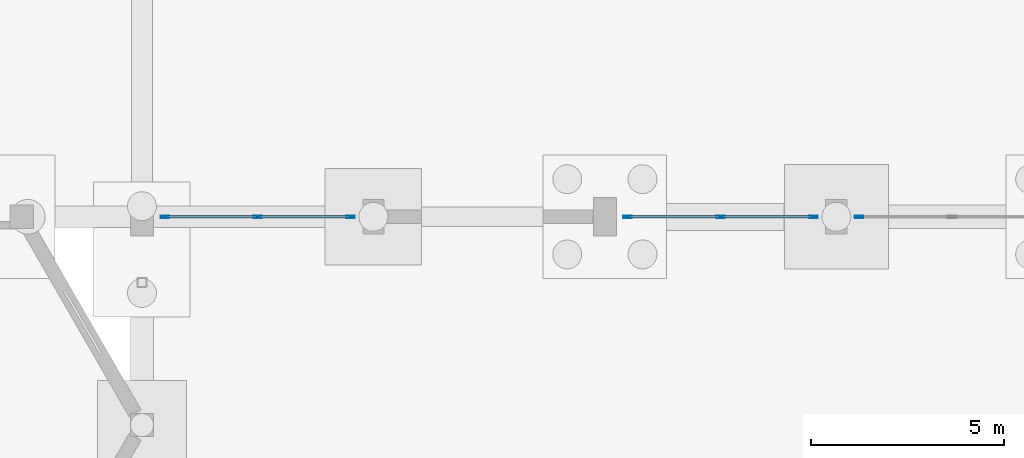
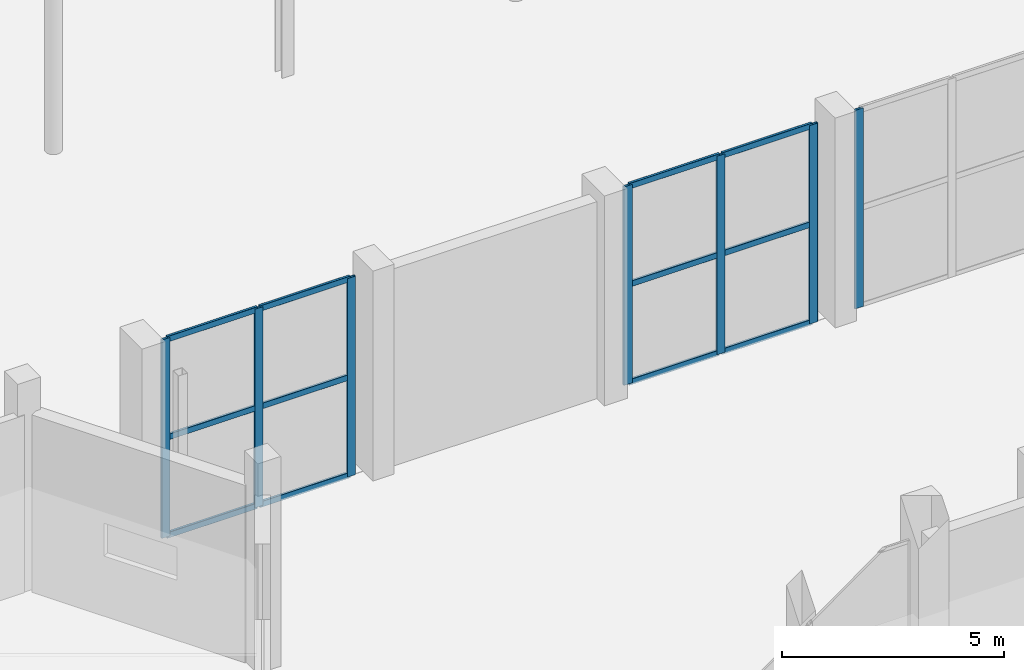
# One storey, part 44 of 103: 19 members, 3 elements without a shape of their own.
"""IFC4 building model written with IfcOpenShell, lengths in metres."""

from ifc_helpers import new_model, si_unit, direction, frame, origin, origin_2d, place, context, subcontext, project, spatial, hollow_rectangle, extrude, material, layer, layer_set, material_profile, profile_set, type_object, element, aggregate, save


model = new_model("IFC4")

# Units and contexts
model_context = context("Model", 3, precision=1e-05, world=origin(), true_north=direction((0.0, 1.0)))
body_context = subcontext(model_context, "Body", "Model", "MODEL_VIEW")
ifc_project = project(units=[si_unit("LENGTHUNIT", "METRE"), si_unit("AREAUNIT", "SQUARE_METRE"), si_unit("VOLUMEUNIT", "CUBIC_METRE"), si_unit("PLANEANGLEUNIT", "RADIAN"), si_unit("MASSUNIT", "GRAM", prefix="KILO")], contexts=[model_context])

# Site, building, storey
site_placement = place(None, origin())
site = spatial("IfcSite", under=ifc_project, at=site_placement, CompositionType="ELEMENT")
building_placement = place(site_placement, origin())
building = spatial("IfcBuilding", under=site, at=building_placement, Name="Dunvalen Ferry Terminal", CompositionType="ELEMENT")
storey_placement = place(building_placement, origin())
storey = spatial("IfcBuildingStorey", under=building, at=storey_placement, Name="L00", CompositionType="ELEMENT", Elevation=0.0)

# Curtain wall, members
ifc_material_1 = material(Name="Anodised marine aluminium and solar-control glazing", Category="aluminium")
ifc_layer = layer(ifc_material_1, 0.219970703125, Name="Anodised marine aluminium and solar-control glazing")
ifc_layer_set = layer_set([ifc_layer], Name="Anodised marine aluminium and solar-control glazing")
curtain_wall_type = type_object("IfcCurtainWallType", Name="ENV-CW-SYS-01", PredefinedType="NOTDEFINED", material=ifc_layer_set)
curtain_wall_1_placement = place(storey_placement, origin())
curtain_wall_1 = element("IfcCurtainWall", 1, at=curtain_wall_1_placement, inside=storey, type_object=curtain_wall_type, Name="L00 Curtain Wall CW-V1S-L00-01", PredefinedType="NOTDEFINED")
ifc_material_2 = material(Name="Anodised marine aluminium EN AW-6063 T6", Category="aluminium")
ifc_material_profile_1 = material_profile(ifc_material_2, hollow_rectangle(XDim=0.06494140625, YDim=0.219970703125, WallThickness=0.00390625, InnerFilletRadius=0.00390625, OuterFilletRadius=0.008056640625, at=origin_2d()), Name="Anodised marine aluminium EN AW-6063 T6")
ifc_profile_set_1 = profile_set([ifc_material_profile_1], Name="Anodised marine aluminium EN AW-6063 T6")
member_type_1 = type_object("IfcMemberType", Name="ENV-CW-MUL-1", PredefinedType="MULLION", material=ifc_profile_set_1)
member_1_placement = place(storey_placement, frame((36.592529296875, 50.39990234375, 0.0), z_axis=(0.0, 0.0, 1.0), x_axis=(0.0, 1.0, 0.0)))
member_1 = element("IfcMember", 2, at=member_1_placement, type_object=member_type_1, Name="CW-01 mullion 1", PredefinedType="MULLION", context=body_context, shape_type="SweptSolid", body=[
    extrude(hollow_rectangle(XDim=0.06494140625, YDim=0.219970703125, WallThickness=0.00390625, InnerFilletRadius=0.00390625, OuterFilletRadius=0.008056640625, at=origin_2d()), origin(), (0.0, 0.0, 1.0), 5.449951171875),
])
member_2_placement = place(storey_placement, frame((39.0, 50.39990234375, 0.0), z_axis=(0.0, 0.0, 1.0), x_axis=(0.0, 1.0, 0.0)))
member_2 = element("IfcMember", 3, at=member_2_placement, type_object=member_type_1, Name="CW-01 mullion 2", PredefinedType="MULLION", context=body_context, shape_type="SweptSolid", body=[
    extrude(hollow_rectangle(XDim=0.06494140625, YDim=0.219970703125, WallThickness=0.00390625, InnerFilletRadius=0.00390625, OuterFilletRadius=0.008056640625, at=origin_2d()), origin(), (0.0, 0.0, 1.0), 5.449951171875),
])
member_3_placement = place(storey_placement, frame((41.407470703125, 50.39990234375, 0.0), z_axis=(0.0, 0.0, 1.0), x_axis=(0.0, 1.0, 0.0)))
member_3 = element("IfcMember", 4, at=member_3_placement, type_object=member_type_1, Name="CW-01 mullion 3", PredefinedType="MULLION", context=body_context, shape_type="SweptSolid", body=[
    extrude(hollow_rectangle(XDim=0.06494140625, YDim=0.219970703125, WallThickness=0.00390625, InnerFilletRadius=0.00390625, OuterFilletRadius=0.008056640625, at=origin_2d()), origin(), (0.0, 0.0, 1.0), 5.449951171875),
])

curtain_wall_2_placement = place(storey_placement, origin())
curtain_wall_2 = element("IfcCurtainWall", 5, at=curtain_wall_2_placement, inside=storey, type_object=curtain_wall_type, Name="L00 Curtain Wall CW-V1S-L00-03", PredefinedType="NOTDEFINED")
member_4_placement = place(storey_placement, frame((48.592529296875, 50.39990234375, 0.0), z_axis=(0.0, 0.0, 1.0), x_axis=(0.0, 1.0, 0.0)))
member_4 = element("IfcMember", 6, at=member_4_placement, type_object=member_type_1, Name="CW-01 mullion 1", PredefinedType="MULLION", context=body_context, shape_type="SweptSolid", body=[
    extrude(hollow_rectangle(XDim=0.06494140625, YDim=0.219970703125, WallThickness=0.00390625, InnerFilletRadius=0.00390625, OuterFilletRadius=0.008056640625, at=origin_2d()), origin(), (0.0, 0.0, 1.0), 5.449951171875),
])
member_5_placement = place(storey_placement, frame((51.0, 50.39990234375, 0.0), z_axis=(0.0, 0.0, 1.0), x_axis=(0.0, 1.0, 0.0)))
member_5 = element("IfcMember", 7, at=member_5_placement, type_object=member_type_1, Name="CW-01 mullion 2", PredefinedType="MULLION", context=body_context, shape_type="SweptSolid", body=[
    extrude(hollow_rectangle(XDim=0.06494140625, YDim=0.219970703125, WallThickness=0.00390625, InnerFilletRadius=0.00390625, OuterFilletRadius=0.008056640625, at=origin_2d()), origin(), (0.0, 0.0, 1.0), 5.449951171875),
])
member_6_placement = place(storey_placement, frame((53.407470703125, 50.39990234375, 0.0), z_axis=(0.0, 0.0, 1.0), x_axis=(0.0, 1.0, 0.0)))
member_6 = element("IfcMember", 8, at=member_6_placement, type_object=member_type_1, Name="CW-01 mullion 3", PredefinedType="MULLION", context=body_context, shape_type="SweptSolid", body=[
    extrude(hollow_rectangle(XDim=0.06494140625, YDim=0.219970703125, WallThickness=0.00390625, InnerFilletRadius=0.00390625, OuterFilletRadius=0.008056640625, at=origin_2d()), origin(), (0.0, 0.0, 1.0), 5.449951171875),
])

# Curtain wall, member
curtain_wall_3_placement = place(storey_placement, origin())
curtain_wall_3 = element("IfcCurtainWall", 9, at=curtain_wall_3_placement, inside=storey, type_object=curtain_wall_type, Name="L00 Curtain Wall CW-V1S-L00-04", PredefinedType="NOTDEFINED")
member_7_placement = place(storey_placement, frame((54.592529296875, 50.39990234375, 0.0), z_axis=(0.0, 0.0, 1.0), x_axis=(0.0, 1.0, 0.0)))
member_7 = element("IfcMember", 10, at=member_7_placement, type_object=member_type_1, Name="CW-01 mullion 1", PredefinedType="MULLION", context=body_context, shape_type="SweptSolid", body=[
    extrude(hollow_rectangle(XDim=0.06494140625, YDim=0.219970703125, WallThickness=0.00390625, InnerFilletRadius=0.00390625, OuterFilletRadius=0.008056640625, at=origin_2d()), origin(), (0.0, 0.0, 1.0), 5.449951171875),
])
aggregate(curtain_wall_3, [member_7])

# Member
ifc_material_profile_2 = material_profile(ifc_material_2, hollow_rectangle(XDim=0.06494140625, YDim=0.159912109375, WallThickness=0.00341796875, InnerFilletRadius=0.00341796875, OuterFilletRadius=0.007080078125, at=origin_2d()), Name="Anodised marine aluminium EN AW-6063 T6")
ifc_profile_set_2 = profile_set([ifc_material_profile_2], Name="Anodised marine aluminium EN AW-6063 T6")
member_type_2 = type_object("IfcMemberType", Name="ENV-CW-TRN-1", PredefinedType="USERDEFINED", material=ifc_profile_set_2)
member_8_placement = place(storey_placement, frame((36.625, 50.39990234375, 0.032470703125), z_axis=(1.0, 0.0, 0.0), x_axis=(0.0, 1.0, 0.0)))
member_8 = element("IfcMember", 11, at=member_8_placement, type_object=member_type_2, Name="CW-01 transom 1.1", ObjectType="TRANSOM", PredefinedType="USERDEFINED", context=body_context, shape_type="SweptSolid", body=[
    extrude(hollow_rectangle(XDim=0.06494140625, YDim=0.159912109375, WallThickness=0.00341796875, InnerFilletRadius=0.00341796875, OuterFilletRadius=0.007080078125, at=origin_2d()), origin(), (0.0, 0.0, 1.0), 2.342529296875),
])

member_9_placement = place(storey_placement, frame((36.625, 50.39990234375, 2.72509765625), z_axis=(1.0, 0.0, 0.0), x_axis=(0.0, 1.0, 0.0)))
member_9 = element("IfcMember", 12, at=member_9_placement, type_object=member_type_2, Name="CW-01 transom 1.2", ObjectType="TRANSOM", PredefinedType="USERDEFINED", context=body_context, shape_type="SweptSolid", body=[
    extrude(hollow_rectangle(XDim=0.06494140625, YDim=0.159912109375, WallThickness=0.00341796875, InnerFilletRadius=0.00341796875, OuterFilletRadius=0.007080078125, at=origin_2d()), origin(), (0.0, 0.0, 1.0), 2.342529296875),
])

member_10_placement = place(storey_placement, frame((36.625, 50.39990234375, 5.41748046875), z_axis=(1.0, 0.0, 0.0), x_axis=(0.0, 1.0, 0.0)))
member_10 = element("IfcMember", 13, at=member_10_placement, type_object=member_type_2, Name="CW-01 transom 1.3", ObjectType="TRANSOM", PredefinedType="USERDEFINED", context=body_context, shape_type="SweptSolid", body=[
    extrude(hollow_rectangle(XDim=0.06494140625, YDim=0.159912109375, WallThickness=0.00341796875, InnerFilletRadius=0.00341796875, OuterFilletRadius=0.007080078125, at=origin_2d()), origin(), (0.0, 0.0, 1.0), 2.342529296875),
])

member_11_placement = place(storey_placement, frame((39.032470703125, 50.39990234375, 0.032470703125), z_axis=(1.0, 0.0, 0.0), x_axis=(0.0, 1.0, 0.0)))
member_11 = element("IfcMember", 14, at=member_11_placement, type_object=member_type_2, Name="CW-01 transom 2.1", ObjectType="TRANSOM", PredefinedType="USERDEFINED", context=body_context, shape_type="SweptSolid", body=[
    extrude(hollow_rectangle(XDim=0.06494140625, YDim=0.159912109375, WallThickness=0.00341796875, InnerFilletRadius=0.00341796875, OuterFilletRadius=0.007080078125, at=origin_2d()), origin(), (0.0, 0.0, 1.0), 2.342529296875),
])

member_12_placement = place(storey_placement, frame((39.032470703125, 50.39990234375, 2.72509765625), z_axis=(1.0, 0.0, 0.0), x_axis=(0.0, 1.0, 0.0)))
member_12 = element("IfcMember", 15, at=member_12_placement, type_object=member_type_2, Name="CW-01 transom 2.2", ObjectType="TRANSOM", PredefinedType="USERDEFINED", context=body_context, shape_type="SweptSolid", body=[
    extrude(hollow_rectangle(XDim=0.06494140625, YDim=0.159912109375, WallThickness=0.00341796875, InnerFilletRadius=0.00341796875, OuterFilletRadius=0.007080078125, at=origin_2d()), origin(), (0.0, 0.0, 1.0), 2.342529296875),
])

member_13_placement = place(storey_placement, frame((39.032470703125, 50.39990234375, 5.41748046875), z_axis=(1.0, 0.0, 0.0), x_axis=(0.0, 1.0, 0.0)))
member_13 = element("IfcMember", 16, at=member_13_placement, type_object=member_type_2, Name="CW-01 transom 2.3", ObjectType="TRANSOM", PredefinedType="USERDEFINED", context=body_context, shape_type="SweptSolid", body=[
    extrude(hollow_rectangle(XDim=0.06494140625, YDim=0.159912109375, WallThickness=0.00341796875, InnerFilletRadius=0.00341796875, OuterFilletRadius=0.007080078125, at=origin_2d()), origin(), (0.0, 0.0, 1.0), 2.342529296875),
])

aggregate(curtain_wall_1, [member_1, member_2, member_3, member_8, member_9, member_10, member_11, member_12, member_13])

member_14_placement = place(storey_placement, frame((48.625, 50.39990234375, 0.032470703125), z_axis=(1.0, 0.0, 0.0), x_axis=(0.0, 1.0, 0.0)))
member_14 = element("IfcMember", 17, at=member_14_placement, type_object=member_type_2, Name="CW-01 transom 1.1", ObjectType="TRANSOM", PredefinedType="USERDEFINED", context=body_context, shape_type="SweptSolid", body=[
    extrude(hollow_rectangle(XDim=0.06494140625, YDim=0.159912109375, WallThickness=0.00341796875, InnerFilletRadius=0.00341796875, OuterFilletRadius=0.007080078125, at=origin_2d()), origin(), (0.0, 0.0, 1.0), 2.342529296875),
])

member_15_placement = place(storey_placement, frame((48.625, 50.39990234375, 2.72509765625), z_axis=(1.0, 0.0, 0.0), x_axis=(0.0, 1.0, 0.0)))
member_15 = element("IfcMember", 18, at=member_15_placement, type_object=member_type_2, Name="CW-01 transom 1.2", ObjectType="TRANSOM", PredefinedType="USERDEFINED", context=body_context, shape_type="SweptSolid", body=[
    extrude(hollow_rectangle(XDim=0.06494140625, YDim=0.159912109375, WallThickness=0.00341796875, InnerFilletRadius=0.00341796875, OuterFilletRadius=0.007080078125, at=origin_2d()), origin(), (0.0, 0.0, 1.0), 2.342529296875),
])

member_16_placement = place(storey_placement, frame((48.625, 50.39990234375, 5.41748046875), z_axis=(1.0, 0.0, 0.0), x_axis=(0.0, 1.0, 0.0)))
member_16 = element("IfcMember", 19, at=member_16_placement, type_object=member_type_2, Name="CW-01 transom 1.3", ObjectType="TRANSOM", PredefinedType="USERDEFINED", context=body_context, shape_type="SweptSolid", body=[
    extrude(hollow_rectangle(XDim=0.06494140625, YDim=0.159912109375, WallThickness=0.00341796875, InnerFilletRadius=0.00341796875, OuterFilletRadius=0.007080078125, at=origin_2d()), origin(), (0.0, 0.0, 1.0), 2.342529296875),
])

member_17_placement = place(storey_placement, frame((51.032470703125, 50.39990234375, 0.032470703125), z_axis=(1.0, 0.0, 0.0), x_axis=(0.0, 1.0, 0.0)))
member_17 = element("IfcMember", 20, at=member_17_placement, type_object=member_type_2, Name="CW-01 transom 2.1", ObjectType="TRANSOM", PredefinedType="USERDEFINED", context=body_context, shape_type="SweptSolid", body=[
    extrude(hollow_rectangle(XDim=0.06494140625, YDim=0.159912109375, WallThickness=0.00341796875, InnerFilletRadius=0.00341796875, OuterFilletRadius=0.007080078125, at=origin_2d()), origin(), (0.0, 0.0, 1.0), 2.342529296875),
])

member_18_placement = place(storey_placement, frame((51.032470703125, 50.39990234375, 2.72509765625), z_axis=(1.0, 0.0, 0.0), x_axis=(0.0, 1.0, 0.0)))
member_18 = element("IfcMember", 21, at=member_18_placement, type_object=member_type_2, Name="CW-01 transom 2.2", ObjectType="TRANSOM", PredefinedType="USERDEFINED", context=body_context, shape_type="SweptSolid", body=[
    extrude(hollow_rectangle(XDim=0.06494140625, YDim=0.159912109375, WallThickness=0.00341796875, InnerFilletRadius=0.00341796875, OuterFilletRadius=0.007080078125, at=origin_2d()), origin(), (0.0, 0.0, 1.0), 2.342529296875),
])

member_19_placement = place(storey_placement, frame((51.032470703125, 50.39990234375, 5.41748046875), z_axis=(1.0, 0.0, 0.0), x_axis=(0.0, 1.0, 0.0)))
member_19 = element("IfcMember", 22, at=member_19_placement, type_object=member_type_2, Name="CW-01 transom 2.3", ObjectType="TRANSOM", PredefinedType="USERDEFINED", context=body_context, shape_type="SweptSolid", body=[
    extrude(hollow_rectangle(XDim=0.06494140625, YDim=0.159912109375, WallThickness=0.00341796875, InnerFilletRadius=0.00341796875, OuterFilletRadius=0.007080078125, at=origin_2d()), origin(), (0.0, 0.0, 1.0), 2.342529296875),
])

aggregate(curtain_wall_2, [member_4, member_5, member_6, member_14, member_15, member_16, member_17, member_18, member_19])

save(model, "model.ifc")
